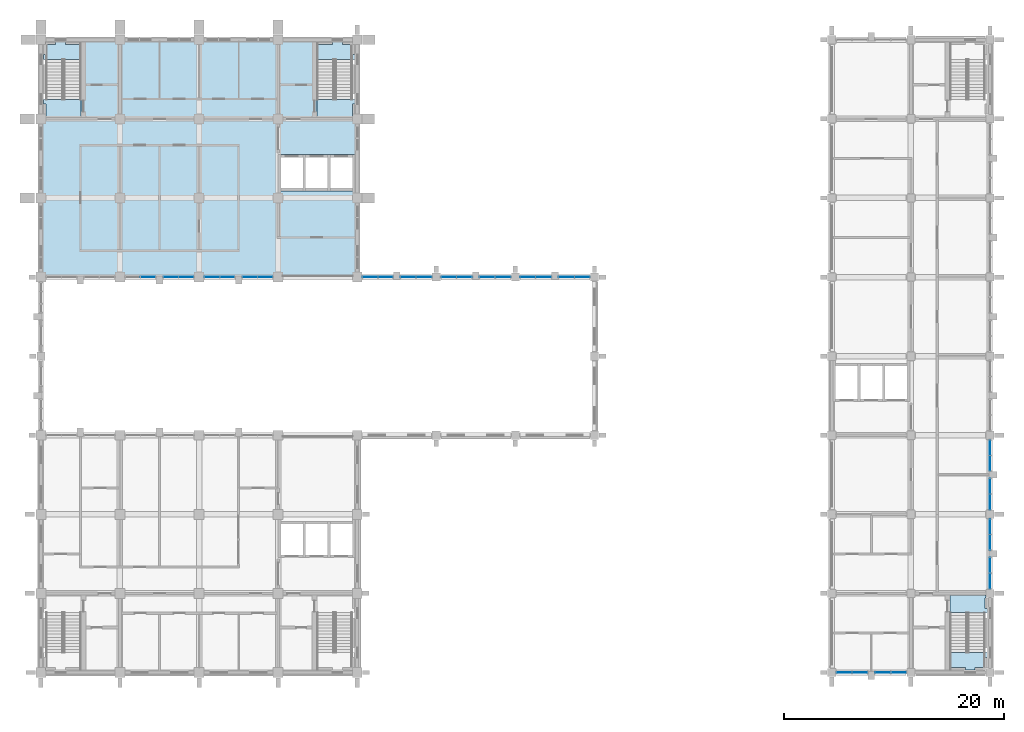
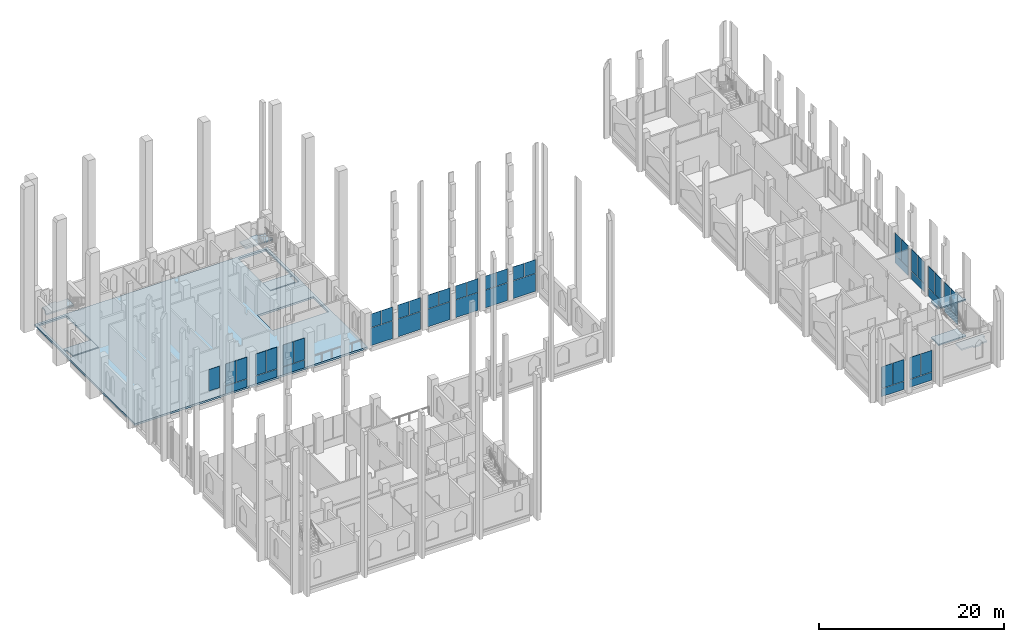
# One storey, part 25 of 40: 46 plates, 8 slabs, 19 elements without a shape of their own.
"""IFC4 building model written with IfcOpenShell, lengths in metres."""

import ifcopenshell
import ifcopenshell.guid

model = None  # the IFC model being written
_history = None  # IfcOwnerHistory: only IFC2X3 demands one
_inside = {}  # id of a spatial element -> (the spatial element, [elements in it])
_under = {}  # id of a project, library or spatial element -> (it, [spatial elements below it])
_declared = {}  # id of a project -> (the project, [libraries it declares])
_typed = {}  # id of a type object -> (the type object, [elements of that type])
_made_of = {}  # id of a material, layer set ... -> (it, [elements and type objects made of it])


def new_model(schema):
    """Start an empty IFC model of exactly this schema.

    Asked for "IFC4X3", IfcOpenShell would pick the latest addendum, in which some entities
    have other attributes; the version numbers below select the first issue.
    IFC2X3 requires an IfcOwnerHistory on every rooted entity: one is made here for all.
    """
    global model, _history
    if schema == "IFC4X3":
        model = ifcopenshell.file(schema_version=(4, 3, 0, 0))
    else:
        model = ifcopenshell.file(schema=schema)
    _inside.clear()
    _under.clear()
    _declared.clear()
    _typed.clear()
    _made_of.clear()
    _history = None
    if model.schema == "IFC2X3":
        org = make("IfcOrganization", Name="unknown")
        user = make(
            "IfcPersonAndOrganization",
            ThePerson=make("IfcPerson", FamilyName="unknown"),
            TheOrganization=org,
        )
        app = make(
            "IfcApplication",
            ApplicationDeveloper=org,
            Version="unknown",
            ApplicationFullName="unknown",
            ApplicationIdentifier="unknown",
        )
        _history = make(
            "IfcOwnerHistory",
            OwningUser=user,
            OwningApplication=app,
            ChangeAction="ADDED",
            CreationDate=0,
        )
    return model


def make(cls, **values):
    """One entity of the class cls with the attributes given. An attribute that is None is left unset."""
    return model.create_entity(
        cls, **{name: value for name, value in values.items() if value is not None}
    )


def rooted(cls, **values):
    """An entity with a GlobalId (a new one), such as an element, a storey or a relation."""
    return make(cls, GlobalId=ifcopenshell.guid.new(), OwnerHistory=_history, **values)


def si_unit(unit_type, name, prefix=None):
    """IfcSIUnit, for example si_unit("LENGTHUNIT", "METRE", prefix="MILLI")."""
    return make("IfcSIUnit", UnitType=unit_type, Prefix=prefix, Name=name)


def assignment(units):
    """IfcUnitAssignment: the units of a project."""
    return None if units is None else make("IfcUnitAssignment", Units=units)


def point(xyz):
    """IfcCartesianPoint."""
    return None if xyz is None else make("IfcCartesianPoint", Coordinates=xyz)


def direction(xyz):
    """IfcDirection."""
    return None if xyz is None else make("IfcDirection", DirectionRatios=xyz)


def frame(location, z_axis=None, x_axis=None):
    """IfcAxis2Placement3D, a coordinate frame: its origin and axes. An axis left out is left unset."""
    return make(
        "IfcAxis2Placement3D",
        Location=point(location),
        Axis=direction(z_axis),
        RefDirection=direction(x_axis),
    )


def frame_2d(location, x_axis=None):
    """IfcAxis2Placement2D, a coordinate frame in the plane: its origin and x axis."""
    return make(
        "IfcAxis2Placement2D", Location=point(location), RefDirection=direction(x_axis)
    )


def origin():
    """The frame at (0, 0, 0) with its axes left unset."""
    return frame((0.0, 0.0, 0.0))


def origin_2d():
    """The frame at (0, 0) in the plane with its x axis left unset."""
    return frame_2d((0.0, 0.0))


def place(relative_to, where):
    """IfcLocalPlacement: puts the frame where relative to a parent placement (None: the world)."""
    return make(
        "IfcLocalPlacement", PlacementRelTo=relative_to, RelativePlacement=where
    )


def context(
    kind, dimensions, precision=None, world=None, true_north=None, identifier=None
):
    """IfcGeometricRepresentationContext, for example the 3D "Model" context."""
    return make(
        "IfcGeometricRepresentationContext",
        ContextIdentifier=identifier,
        ContextType=kind,
        CoordinateSpaceDimension=dimensions,
        Precision=precision,
        WorldCoordinateSystem=world,
        TrueNorth=true_north,
    )


def subcontext(parent, identifier, kind, view, scale=None):
    """IfcGeometricRepresentationSubContext, for example "Body" below "Model"."""
    return make(
        "IfcGeometricRepresentationSubContext",
        ContextIdentifier=identifier,
        ContextType=kind,
        ParentContext=parent,
        TargetScale=scale,
        TargetView=view,
    )


def project(units=None, contexts=None):
    """IfcProject with its units and contexts."""
    return rooted(
        "IfcProject",
        Name="project",
        RepresentationContexts=contexts,
        UnitsInContext=assignment(units),
    )


def spatial(cls, under=None, at=None, **own):
    """A site, building, storey or space (cls), placed at a placement, below another one or the project."""
    s = rooted(cls, ObjectPlacement=at, **own)
    if under is not None:
        _under.setdefault(under.id(), (under, []))[1].append(s)
    return s


def polyline(points):
    """IfcPolyline through the points."""
    return make("IfcPolyline", Points=[point(p) for p in points])


def profile(cls, at=None, kind="AREA", **sizes):
    """A parametric profile (cls). Its sizes go by their IFC names, for example OverallWidth=200.0."""
    return make(cls, ProfileType=kind, Position=at, **sizes)


def rectangle(**sizes):
    """IfcRectangleProfileDef."""
    return profile("IfcRectangleProfileDef", **sizes)


def outline(outer, holes=None, kind="AREA"):
    """IfcArbitraryClosedProfileDef: a profile drawn as a closed curve; with holes, ...WithVoids."""
    if holes is None:
        return make("IfcArbitraryClosedProfileDef", ProfileType=kind, OuterCurve=outer)
    return make(
        "IfcArbitraryProfileDefWithVoids",
        ProfileType=kind,
        OuterCurve=outer,
        InnerCurves=holes,
    )


def extrude(swept, where, along, depth):
    """IfcExtrudedAreaSolid: the profile swept, set in the frame where, extruded along a direction by depth."""
    return make(
        "IfcExtrudedAreaSolid",
        SweptArea=swept,
        Position=where,
        ExtrudedDirection=direction(along),
        Depth=depth,
    )


def shape(context_of_items, identifier, shape_type, items):
    """IfcShapeRepresentation: the items that make up one representation, for example the "Body"."""
    return make(
        "IfcShapeRepresentation",
        ContextOfItems=context_of_items,
        RepresentationIdentifier=identifier,
        RepresentationType=shape_type,
        Items=items,
    )


def material(Name=None, Category=None):
    """IfcMaterial."""
    return make("IfcMaterial", Name=Name, Category=Category)


def layer(
    of_material, thickness, ventilated=None, Name=None, Category=None, Priority=None
):
    """IfcMaterialLayer: one layer of a wall or slab, of a material (None: an air gap)."""
    return make(
        "IfcMaterialLayer",
        Material=of_material,
        LayerThickness=thickness,
        IsVentilated=ventilated,
        Name=Name,
        Category=Category,
        Priority=Priority,
    )


def layer_set(layers, Name=None):
    """IfcMaterialLayerSet."""
    return make("IfcMaterialLayerSet", MaterialLayers=layers, LayerSetName=Name)


def made_of(thing, what):
    """Note that an element or type object is made of a material, layer set ...; save() writes the relation."""
    if what is not None:
        _made_of.setdefault(what.id(), (what, []))[1].append(thing)
    return thing


def type_object(cls, material=None, **own):
    """A type object (cls), such as IfcWallType, which elements share."""
    return made_of(rooted(cls, **own), material)


def element(
    cls,
    number,
    at=None,
    inside=None,
    cuts=None,
    type_object=None,
    material=None,
    context=None,
    identifier="Body",
    shape_type=None,
    held_by="IfcProductDefinitionShape",
    body=None,
    shapes=None,
    **own,
):
    """One element of the class cls, such as IfcWall. Its Tag is "e" and its number.

    at: its placement. inside: the storey or other place that contains it. cuts: it is an
    opening in that element (IfcRelVoidsElement). A single representation is given by context,
    identifier, shape_type and body (its items); several are given by shapes. held_by: the class
    of the entity that holds the representations. save() writes the other relations.
    """
    e = rooted(cls, Tag="e%d" % number, ObjectPlacement=at, **own)
    if body is not None:
        shapes = [shape(context, identifier, shape_type, body)]
    if shapes is not None:
        e.Representation = make(held_by, Representations=shapes)
    if inside is not None:
        _inside.setdefault(inside.id(), (inside, []))[1].append(e)
    if cuts is not None:
        rooted(
            "IfcRelVoidsElement", RelatingBuildingElement=cuts, RelatedOpeningElement=e
        )
    if type_object is not None:
        _typed.setdefault(type_object.id(), (type_object, []))[1].append(e)
    return made_of(e, material)


def aggregate(whole, parts):
    """IfcRelAggregates: a whole, such as a stair, and the parts it consists of."""
    return rooted("IfcRelAggregates", RelatingObject=whole, RelatedObjects=parts)


def save(model, path):
    """Write the relations noted so far, then the file.

    IfcRelAggregates (storeys below a building ...), IfcRelContainedInSpatialStructure (elements
    in a storey), IfcRelDefinesByType, IfcRelAssociatesMaterial and IfcRelDeclares: one each for
    every whole, place, type object, material and project.
    """
    for whole, parts in _under.values():
        aggregate(whole, parts)
    for where, things in _inside.values():
        rooted(
            "IfcRelContainedInSpatialStructure",
            RelatedElements=things,
            RelatingStructure=where,
        )
    for kind, things in _typed.values():
        rooted("IfcRelDefinesByType", RelatedObjects=things, RelatingType=kind)
    for what, things in _made_of.values():
        rooted("IfcRelAssociatesMaterial", RelatedObjects=things, RelatingMaterial=what)
    for by, libraries in _declared.values():
        rooted("IfcRelDeclares", RelatingContext=by, RelatedDefinitions=libraries)
    model.write(path)


model = new_model("IFC4")

# Units and contexts
model_context = context("Model", 3, precision=1e-05, world=origin(), true_north=direction((0.0, 1.0)))
body_context = subcontext(model_context, "Body", "Model", "MODEL_VIEW")
ifc_project = project(units=[si_unit("LENGTHUNIT", "METRE"), si_unit("AREAUNIT", "SQUARE_METRE"), si_unit("VOLUMEUNIT", "CUBIC_METRE"), si_unit("PLANEANGLEUNIT", "RADIAN"), si_unit("MASSUNIT", "GRAM", prefix="KILO")], contexts=[model_context])

# Site, building, storey
site_placement = place(None, origin())
site = spatial("IfcSite", under=ifc_project, at=site_placement, CompositionType="ELEMENT")
building_placement = place(site_placement, origin())
building = spatial("IfcBuilding", under=site, at=building_placement, Name="Silangan Lancet Faculty of Sciences", CompositionType="ELEMENT")
storey_placement = place(building_placement, frame((0.0, 0.0, 21.60009765625)))
storey = spatial("IfcBuildingStorey", under=building, at=storey_placement, Name="L04", CompositionType="ELEMENT", Elevation=21.60009765625)

# Curtain wall, plates
ifc_material_1 = material(Name="Aluminium framed curtain wall with insulated glass", Category="aluminium")
curtain_wall_type_1 = type_object("IfcCurtainWallType", Name="CW1 Commons and east block glazing", PredefinedType="NOTDEFINED", material=ifc_material_1)
curtain_wall_1_placement = place(storey_placement, origin())
curtain_wall_1 = element("IfcCurtainWall", 1, at=curtain_wall_1_placement, inside=storey, type_object=curtain_wall_type_1, Name="CW1 East commons L04 bay 1", PredefinedType="NOTDEFINED")
ifc_material_2 = material(Name="Insulated glass unit 8+16+8 low-emissivity", Category="glass")
ifc_layer_1 = layer(ifc_material_2, 0.031982421875)
ifc_layer_set_1 = layer_set([ifc_layer_1], Name="Insulated glass unit 8+16+8 low-emissivity")
plate_type_1 = type_object("IfcPlateType", Name="CP1 Panel vision glass 32", PredefinedType="CURTAIN_PANEL", material=ifc_layer_set_1)
plate_1_placement = place(storey_placement, frame((86.39990234375, 8.3212890625, 1.099853515625), z_axis=(0.0, 0.0, 1.0), x_axis=(0.0, 1.0, 0.0)))
plate_1 = element("IfcPlate", 2, at=plate_1_placement, type_object=plate_type_1, Name="CW1 East commons L04 bay 1 panel 2", PredefinedType="CURTAIN_PANEL", context=body_context, shape_type="SweptSolid", body=[
    extrude(rectangle(XDim=1.37255859375, YDim=0.031982421875, at=origin_2d()), origin(), (0.0, 0.0, 1.0), 2.85009765625),
])
plate_2_placement = place(storey_placement, frame((86.39990234375, 9.753662109375, 1.099853515625), z_axis=(0.0, 0.0, 1.0), x_axis=(0.0, 1.0, 0.0)))
plate_2 = element("IfcPlate", 3, at=plate_2_placement, type_object=plate_type_1, Name="CW1 East commons L04 bay 1 panel 3", PredefinedType="CURTAIN_PANEL", context=body_context, shape_type="SweptSolid", body=[
    extrude(rectangle(XDim=1.37255859375, YDim=0.031982421875, at=origin_2d()), origin(), (0.0, 0.0, 1.0), 2.85009765625),
])

curtain_wall_2_placement = place(storey_placement, origin())
curtain_wall_2 = element("IfcCurtainWall", 4, at=curtain_wall_2_placement, inside=storey, type_object=curtain_wall_type_1, Name="CW1 East commons L04 bay 2", PredefinedType="NOTDEFINED")
plate_3_placement = place(storey_placement, frame((86.39990234375, 11.84619140625, 1.099853515625), z_axis=(0.0, 0.0, 1.0), x_axis=(0.0, 1.0, 0.0)))
plate_3 = element("IfcPlate", 5, at=plate_3_placement, type_object=plate_type_1, Name="CW1 East commons L04 bay 2 panel 2", PredefinedType="CURTAIN_PANEL", context=body_context, shape_type="SweptSolid", body=[
    extrude(rectangle(XDim=1.37255859375, YDim=0.031982421875, at=origin_2d()), origin(), (0.0, 0.0, 1.0), 2.85009765625),
])
plate_4_placement = place(storey_placement, frame((86.39990234375, 13.27880859375, 1.099853515625), z_axis=(0.0, 0.0, 1.0), x_axis=(0.0, 1.0, 0.0)))
plate_4 = element("IfcPlate", 6, at=plate_4_placement, type_object=plate_type_1, Name="CW1 East commons L04 bay 2 panel 3", PredefinedType="CURTAIN_PANEL", context=body_context, shape_type="SweptSolid", body=[
    extrude(rectangle(XDim=1.37255859375, YDim=0.031982421875, at=origin_2d()), origin(), (0.0, 0.0, 1.0), 2.85009765625),
])

curtain_wall_3_placement = place(storey_placement, origin())
curtain_wall_3 = element("IfcCurtainWall", 7, at=curtain_wall_3_placement, inside=storey, type_object=curtain_wall_type_1, Name="CW1 East commons L04 bay 3", PredefinedType="NOTDEFINED")
plate_5_placement = place(storey_placement, frame((86.39990234375, 15.521240234375, 1.099853515625), z_axis=(0.0, 0.0, 1.0), x_axis=(0.0, 1.0, 0.0)))
plate_5 = element("IfcPlate", 8, at=plate_5_placement, type_object=plate_type_1, Name="CW1 East commons L04 bay 3 panel 2", PredefinedType="CURTAIN_PANEL", context=body_context, shape_type="SweptSolid", body=[
    extrude(rectangle(XDim=1.37255859375, YDim=0.031982421875, at=origin_2d()), origin(), (0.0, 0.0, 1.0), 2.85009765625),
])
plate_6_placement = place(storey_placement, frame((86.39990234375, 16.953857421875, 1.099853515625), z_axis=(0.0, 0.0, 1.0), x_axis=(0.0, 1.0, 0.0)))
plate_6 = element("IfcPlate", 9, at=plate_6_placement, type_object=plate_type_1, Name="CW1 East commons L04 bay 3 panel 3", PredefinedType="CURTAIN_PANEL", context=body_context, shape_type="SweptSolid", body=[
    extrude(rectangle(XDim=1.37255859375, YDim=0.031982421875, at=origin_2d()), origin(), (0.0, 0.0, 1.0), 2.85009765625),
])

curtain_wall_4_placement = place(storey_placement, origin())
curtain_wall_4 = element("IfcCurtainWall", 10, at=curtain_wall_4_placement, inside=storey, type_object=curtain_wall_type_1, Name="CW1 East commons L04 bay 4", PredefinedType="NOTDEFINED")
plate_7_placement = place(storey_placement, frame((86.39990234375, 19.046142578125, 1.099853515625), z_axis=(0.0, 0.0, 1.0), x_axis=(0.0, 1.0, 0.0)))
plate_7 = element("IfcPlate", 11, at=plate_7_placement, type_object=plate_type_1, Name="CW1 East commons L04 bay 4 panel 2", PredefinedType="CURTAIN_PANEL", context=body_context, shape_type="SweptSolid", body=[
    extrude(rectangle(XDim=1.37255859375, YDim=0.031982421875, at=origin_2d()), origin(), (0.0, 0.0, 1.0), 2.85009765625),
])
plate_8_placement = place(storey_placement, frame((86.39990234375, 20.478759765625, 1.099853515625), z_axis=(0.0, 0.0, 1.0), x_axis=(0.0, 1.0, 0.0)))
plate_8 = element("IfcPlate", 12, at=plate_8_placement, type_object=plate_type_1, Name="CW1 East commons L04 bay 4 panel 3", PredefinedType="CURTAIN_PANEL", context=body_context, shape_type="SweptSolid", body=[
    extrude(rectangle(XDim=1.37255859375, YDim=0.031982421875, at=origin_2d()), origin(), (0.0, 0.0, 1.0), 2.85009765625),
])

curtain_wall_5_placement = place(storey_placement, origin())
curtain_wall_5 = element("IfcCurtainWall", 13, at=curtain_wall_5_placement, inside=storey, type_object=curtain_wall_type_1, Name="CW1 East block south L04 bay 1", PredefinedType="NOTDEFINED")
plate_9_placement = place(storey_placement, frame((73.121337890625, 0.0, 1.099853515625), z_axis=(0.0, 0.0, 1.0), x_axis=(1.0, 0.0, 0.0)))
plate_9 = element("IfcPlate", 14, at=plate_9_placement, type_object=plate_type_1, Name="CW1 East block south L04 bay 1 panel 2", PredefinedType="CURTAIN_PANEL", context=body_context, shape_type="SweptSolid", body=[
    extrude(rectangle(XDim=1.37255859375, YDim=0.031982421875, at=origin_2d()), origin(), (0.0, 0.0, 1.0), 2.85009765625),
])
plate_10_placement = place(storey_placement, frame((74.5537109375, 0.0, 1.099853515625), z_axis=(0.0, 0.0, 1.0), x_axis=(1.0, 0.0, 0.0)))
plate_10 = element("IfcPlate", 15, at=plate_10_placement, type_object=plate_type_1, Name="CW1 East block south L04 bay 1 panel 3", PredefinedType="CURTAIN_PANEL", context=body_context, shape_type="SweptSolid", body=[
    extrude(rectangle(XDim=1.37255859375, YDim=0.031982421875, at=origin_2d()), origin(), (0.0, 0.0, 1.0), 2.85009765625),
])

curtain_wall_6_placement = place(storey_placement, origin())
curtain_wall_6 = element("IfcCurtainWall", 16, at=curtain_wall_6_placement, inside=storey, type_object=curtain_wall_type_1, Name="CW1 East block south L04 bay 2", PredefinedType="NOTDEFINED")
plate_11_placement = place(storey_placement, frame((76.646240234375, 0.0, 1.099853515625), z_axis=(0.0, 0.0, 1.0), x_axis=(1.0, 0.0, 0.0)))
plate_11 = element("IfcPlate", 17, at=plate_11_placement, type_object=plate_type_1, Name="CW1 East block south L04 bay 2 panel 2", PredefinedType="CURTAIN_PANEL", context=body_context, shape_type="SweptSolid", body=[
    extrude(rectangle(XDim=1.37255859375, YDim=0.031982421875, at=origin_2d()), origin(), (0.0, 0.0, 1.0), 2.85009765625),
])
plate_12_placement = place(storey_placement, frame((78.078857421875, 0.0, 1.099853515625), z_axis=(0.0, 0.0, 1.0), x_axis=(1.0, 0.0, 0.0)))
plate_12 = element("IfcPlate", 18, at=plate_12_placement, type_object=plate_type_1, Name="CW1 East block south L04 bay 2 panel 3", PredefinedType="CURTAIN_PANEL", context=body_context, shape_type="SweptSolid", body=[
    extrude(rectangle(XDim=1.37255859375, YDim=0.031982421875, at=origin_2d()), origin(), (0.0, 0.0, 1.0), 2.85009765625),
])

ifc_material_3 = material(Name="Aluminium framed curtain wall with insulated glass", Category="aluminium")
curtain_wall_type_2 = type_object("IfcCurtainWallType", Name="CW5 Nave north light glazing", PredefinedType="NOTDEFINED", material=ifc_material_3)
curtain_wall_7_placement = place(storey_placement, origin())
curtain_wall_7 = element("IfcCurtainWall", 19, at=curtain_wall_7_placement, inside=storey, type_object=curtain_wall_type_2, Name="CW5 Nave north lights L04 bay 1", PredefinedType="NOTDEFINED")
plate_13_placement = place(storey_placement, frame((48.5625, 36.0, 0.0), z_axis=(0.0, 0.0, 1.0), x_axis=(-1.0, 0.0, 0.0)))
plate_13 = element("IfcPlate", 20, at=plate_13_placement, type_object=plate_type_1, Name="CW5 Nave north lights L04 bay 1 panel 1", PredefinedType="CURTAIN_PANEL", context=body_context, shape_type="SweptSolid", body=[
    extrude(rectangle(XDim=2.804931640625, YDim=0.031982421875, at=origin_2d()), origin(), (0.0, 0.0, 1.0), 2.340087890625),
])
plate_14_placement = place(storey_placement, frame((49.27880859375, 36.0, 2.39990234375), z_axis=(0.0, 0.0, 1.0), x_axis=(-1.0, 0.0, 0.0)))
plate_14 = element("IfcPlate", 21, at=plate_14_placement, type_object=plate_type_1, Name="CW5 Nave north lights L04 bay 1 panel 2", PredefinedType="CURTAIN_PANEL", context=body_context, shape_type="SweptSolid", body=[
    extrude(rectangle(XDim=1.37255859375, YDim=0.031982421875, at=origin_2d()), origin(), (0.0, 0.0, 1.0), 1.800048828125),
])
plate_15_placement = place(storey_placement, frame((47.84619140625, 36.0, 2.39990234375), z_axis=(0.0, 0.0, 1.0), x_axis=(-1.0, 0.0, 0.0)))
plate_15 = element("IfcPlate", 22, at=plate_15_placement, type_object=plate_type_1, Name="CW5 Nave north lights L04 bay 1 panel 3", PredefinedType="CURTAIN_PANEL", context=body_context, shape_type="SweptSolid", body=[
    extrude(rectangle(XDim=1.37255859375, YDim=0.031982421875, at=origin_2d()), origin(), (0.0, 0.0, 1.0), 1.800048828125),
])
aggregate(curtain_wall_7, [plate_13, plate_14, plate_15])

curtain_wall_8_placement = place(storey_placement, origin())
curtain_wall_8 = element("IfcCurtainWall", 23, at=curtain_wall_8_placement, inside=storey, type_object=curtain_wall_type_2, Name="CW5 Nave north lights L04 bay 2", PredefinedType="NOTDEFINED")
plate_16_placement = place(storey_placement, frame((45.03759765625, 36.0, 0.0), z_axis=(0.0, 0.0, 1.0), x_axis=(-1.0, 0.0, 0.0)))
plate_16 = element("IfcPlate", 24, at=plate_16_placement, type_object=plate_type_1, Name="CW5 Nave north lights L04 bay 2 panel 1", PredefinedType="CURTAIN_PANEL", context=body_context, shape_type="SweptSolid", body=[
    extrude(rectangle(XDim=2.804931640625, YDim=0.031982421875, at=origin_2d()), origin(), (0.0, 0.0, 1.0), 2.340087890625),
])
plate_17_placement = place(storey_placement, frame((45.753662109375, 36.0, 2.39990234375), z_axis=(0.0, 0.0, 1.0), x_axis=(-1.0, 0.0, 0.0)))
plate_17 = element("IfcPlate", 25, at=plate_17_placement, type_object=plate_type_1, Name="CW5 Nave north lights L04 bay 2 panel 2", PredefinedType="CURTAIN_PANEL", context=body_context, shape_type="SweptSolid", body=[
    extrude(rectangle(XDim=1.37255859375, YDim=0.031982421875, at=origin_2d()), origin(), (0.0, 0.0, 1.0), 1.800048828125),
])
plate_18_placement = place(storey_placement, frame((44.3212890625, 36.0, 2.39990234375), z_axis=(0.0, 0.0, 1.0), x_axis=(-1.0, 0.0, 0.0)))
plate_18 = element("IfcPlate", 26, at=plate_18_placement, type_object=plate_type_1, Name="CW5 Nave north lights L04 bay 2 panel 3", PredefinedType="CURTAIN_PANEL", context=body_context, shape_type="SweptSolid", body=[
    extrude(rectangle(XDim=1.37255859375, YDim=0.031982421875, at=origin_2d()), origin(), (0.0, 0.0, 1.0), 1.800048828125),
])
aggregate(curtain_wall_8, [plate_16, plate_17, plate_18])

curtain_wall_9_placement = place(storey_placement, origin())
curtain_wall_9 = element("IfcCurtainWall", 27, at=curtain_wall_9_placement, inside=storey, type_object=curtain_wall_type_2, Name="CW5 Nave north lights L04 bay 3", PredefinedType="NOTDEFINED")
plate_19_placement = place(storey_placement, frame((41.362548828125, 36.0, 0.0), z_axis=(0.0, 0.0, 1.0), x_axis=(-1.0, 0.0, 0.0)))
plate_19 = element("IfcPlate", 28, at=plate_19_placement, type_object=plate_type_1, Name="CW5 Nave north lights L04 bay 3 panel 1", PredefinedType="CURTAIN_PANEL", context=body_context, shape_type="SweptSolid", body=[
    extrude(rectangle(XDim=2.804931640625, YDim=0.031982421875, at=origin_2d()), origin(), (0.0, 0.0, 1.0), 2.340087890625),
])
plate_20_placement = place(storey_placement, frame((42.078857421875, 36.0, 2.39990234375), z_axis=(0.0, 0.0, 1.0), x_axis=(-1.0, 0.0, 0.0)))
plate_20 = element("IfcPlate", 29, at=plate_20_placement, type_object=plate_type_1, Name="CW5 Nave north lights L04 bay 3 panel 2", PredefinedType="CURTAIN_PANEL", context=body_context, shape_type="SweptSolid", body=[
    extrude(rectangle(XDim=1.37255859375, YDim=0.031982421875, at=origin_2d()), origin(), (0.0, 0.0, 1.0), 1.800048828125),
])
plate_21_placement = place(storey_placement, frame((40.646240234375, 36.0, 2.39990234375), z_axis=(0.0, 0.0, 1.0), x_axis=(-1.0, 0.0, 0.0)))
plate_21 = element("IfcPlate", 30, at=plate_21_placement, type_object=plate_type_1, Name="CW5 Nave north lights L04 bay 3 panel 3", PredefinedType="CURTAIN_PANEL", context=body_context, shape_type="SweptSolid", body=[
    extrude(rectangle(XDim=1.37255859375, YDim=0.031982421875, at=origin_2d()), origin(), (0.0, 0.0, 1.0), 1.800048828125),
])
aggregate(curtain_wall_9, [plate_19, plate_20, plate_21])

curtain_wall_10_placement = place(storey_placement, origin())
curtain_wall_10 = element("IfcCurtainWall", 31, at=curtain_wall_10_placement, inside=storey, type_object=curtain_wall_type_2, Name="CW5 Nave north lights L04 bay 4", PredefinedType="NOTDEFINED")
plate_22_placement = place(storey_placement, frame((37.837646484375, 36.0, 0.0), z_axis=(0.0, 0.0, 1.0), x_axis=(-1.0, 0.0, 0.0)))
plate_22 = element("IfcPlate", 32, at=plate_22_placement, type_object=plate_type_1, Name="CW5 Nave north lights L04 bay 4 panel 1", PredefinedType="CURTAIN_PANEL", context=body_context, shape_type="SweptSolid", body=[
    extrude(rectangle(XDim=2.80517578125, YDim=0.031982421875, at=origin_2d()), origin(), (0.0, 0.0, 1.0), 2.340087890625),
])
plate_23_placement = place(storey_placement, frame((38.5537109375, 36.0, 2.39990234375), z_axis=(0.0, 0.0, 1.0), x_axis=(-1.0, 0.0, 0.0)))
plate_23 = element("IfcPlate", 33, at=plate_23_placement, type_object=plate_type_1, Name="CW5 Nave north lights L04 bay 4 panel 2", PredefinedType="CURTAIN_PANEL", context=body_context, shape_type="SweptSolid", body=[
    extrude(rectangle(XDim=1.37255859375, YDim=0.031982421875, at=origin_2d()), origin(), (0.0, 0.0, 1.0), 1.800048828125),
])
plate_24_placement = place(storey_placement, frame((37.121337890625, 36.0, 2.39990234375), z_axis=(0.0, 0.0, 1.0), x_axis=(-1.0, 0.0, 0.0)))
plate_24 = element("IfcPlate", 34, at=plate_24_placement, type_object=plate_type_1, Name="CW5 Nave north lights L04 bay 4 panel 3", PredefinedType="CURTAIN_PANEL", context=body_context, shape_type="SweptSolid", body=[
    extrude(rectangle(XDim=1.37255859375, YDim=0.031982421875, at=origin_2d()), origin(), (0.0, 0.0, 1.0), 1.800048828125),
])
aggregate(curtain_wall_10, [plate_22, plate_23, plate_24])

curtain_wall_11_placement = place(storey_placement, origin())
curtain_wall_11 = element("IfcCurtainWall", 35, at=curtain_wall_11_placement, inside=storey, type_object=curtain_wall_type_2, Name="CW5 Nave north lights L04 bay 5", PredefinedType="NOTDEFINED")
plate_25_placement = place(storey_placement, frame((34.162353515625, 36.0, 0.0), z_axis=(0.0, 0.0, 1.0), x_axis=(-1.0, 0.0, 0.0)))
plate_25 = element("IfcPlate", 36, at=plate_25_placement, type_object=plate_type_1, Name="CW5 Nave north lights L04 bay 5 panel 1", PredefinedType="CURTAIN_PANEL", context=body_context, shape_type="SweptSolid", body=[
    extrude(rectangle(XDim=2.80517578125, YDim=0.031982421875, at=origin_2d()), origin(), (0.0, 0.0, 1.0), 2.340087890625),
])
plate_26_placement = place(storey_placement, frame((34.878662109375, 36.0, 2.39990234375), z_axis=(0.0, 0.0, 1.0), x_axis=(-1.0, 0.0, 0.0)))
plate_26 = element("IfcPlate", 37, at=plate_26_placement, type_object=plate_type_1, Name="CW5 Nave north lights L04 bay 5 panel 2", PredefinedType="CURTAIN_PANEL", context=body_context, shape_type="SweptSolid", body=[
    extrude(rectangle(XDim=1.37255859375, YDim=0.031982421875, at=origin_2d()), origin(), (0.0, 0.0, 1.0), 1.800048828125),
])
plate_27_placement = place(storey_placement, frame((33.4462890625, 36.0, 2.39990234375), z_axis=(0.0, 0.0, 1.0), x_axis=(-1.0, 0.0, 0.0)))
plate_27 = element("IfcPlate", 38, at=plate_27_placement, type_object=plate_type_1, Name="CW5 Nave north lights L04 bay 5 panel 3", PredefinedType="CURTAIN_PANEL", context=body_context, shape_type="SweptSolid", body=[
    extrude(rectangle(XDim=1.37255859375, YDim=0.031982421875, at=origin_2d()), origin(), (0.0, 0.0, 1.0), 1.800048828125),
])
aggregate(curtain_wall_11, [plate_25, plate_26, plate_27])

curtain_wall_12_placement = place(storey_placement, origin())
curtain_wall_12 = element("IfcCurtainWall", 39, at=curtain_wall_12_placement, inside=storey, type_object=curtain_wall_type_2, Name="CW5 Nave north lights L04 bay 6", PredefinedType="NOTDEFINED")
plate_28_placement = place(storey_placement, frame((30.675048828125, 36.0, 0.0), z_axis=(0.0, 0.0, 1.0), x_axis=(-1.0, 0.0, 0.0)))
plate_28 = element("IfcPlate", 40, at=plate_28_placement, type_object=plate_type_1, Name="CW5 Nave north lights L04 bay 6 panel 1", PredefinedType="CURTAIN_PANEL", context=body_context, shape_type="SweptSolid", body=[
    extrude(rectangle(XDim=2.72998046875, YDim=0.031982421875, at=origin_2d()), origin(), (0.0, 0.0, 1.0), 2.340087890625),
])
plate_29_placement = place(storey_placement, frame((31.372314453125, 36.0, 2.39990234375), z_axis=(0.0, 0.0, 1.0), x_axis=(-1.0, 0.0, 0.0)))
plate_29 = element("IfcPlate", 41, at=plate_29_placement, type_object=plate_type_1, Name="CW5 Nave north lights L04 bay 6 panel 2", PredefinedType="CURTAIN_PANEL", context=body_context, shape_type="SweptSolid", body=[
    extrude(rectangle(XDim=1.3349609375, YDim=0.031982421875, at=origin_2d()), origin(), (0.0, 0.0, 1.0), 1.800048828125),
])
plate_30_placement = place(storey_placement, frame((29.9775390625, 36.0, 2.39990234375), z_axis=(0.0, 0.0, 1.0), x_axis=(-1.0, 0.0, 0.0)))
plate_30 = element("IfcPlate", 42, at=plate_30_placement, type_object=plate_type_1, Name="CW5 Nave north lights L04 bay 6 panel 3", PredefinedType="CURTAIN_PANEL", context=body_context, shape_type="SweptSolid", body=[
    extrude(rectangle(XDim=1.3349609375, YDim=0.031982421875, at=origin_2d()), origin(), (0.0, 0.0, 1.0), 1.800048828125),
])
aggregate(curtain_wall_12, [plate_28, plate_29, plate_30])

# Plate
ifc_material_4 = material(Name="Laminated insulated glass unit 10.76+14+8", Category="glass")
ifc_layer_2 = layer(ifc_material_4, 0.035888671875)
ifc_layer_set_2 = layer_set([ifc_layer_2], Name="Laminated insulated glass unit 10.76+14+8")
plate_type_2 = type_object("IfcPlateType", Name="CP2 Panel laminated glass 36", PredefinedType="CURTAIN_PANEL", material=ifc_layer_set_2)
plate_31_placement = place(storey_placement, frame((86.39990234375, 9.03759765625, 0.0), z_axis=(0.0, 0.0, 1.0), x_axis=(0.0, 1.0, 0.0)))
plate_31 = element("IfcPlate", 43, at=plate_31_placement, type_object=plate_type_2, Name="CW1 East commons L04 bay 1 panel 1", PredefinedType="CURTAIN_PANEL", context=body_context, shape_type="SweptSolid", body=[
    extrude(rectangle(XDim=2.804931640625, YDim=0.035888671875, at=origin_2d()), origin(), (0.0, 0.0, 1.0), 1.0400390625),
])

aggregate(curtain_wall_1, [plate_31, plate_1, plate_2])

plate_32_placement = place(storey_placement, frame((86.39990234375, 12.5625, 0.0), z_axis=(0.0, 0.0, 1.0), x_axis=(0.0, 1.0, 0.0)))
plate_32 = element("IfcPlate", 44, at=plate_32_placement, type_object=plate_type_2, Name="CW1 East commons L04 bay 2 panel 1", PredefinedType="CURTAIN_PANEL", context=body_context, shape_type="SweptSolid", body=[
    extrude(rectangle(XDim=2.804931640625, YDim=0.035888671875, at=origin_2d()), origin(), (0.0, 0.0, 1.0), 1.0400390625),
])

aggregate(curtain_wall_2, [plate_32, plate_3, plate_4])

plate_33_placement = place(storey_placement, frame((86.39990234375, 16.237548828125, 0.0), z_axis=(0.0, 0.0, 1.0), x_axis=(0.0, 1.0, 0.0)))
plate_33 = element("IfcPlate", 45, at=plate_33_placement, type_object=plate_type_2, Name="CW1 East commons L04 bay 3 panel 1", PredefinedType="CURTAIN_PANEL", context=body_context, shape_type="SweptSolid", body=[
    extrude(rectangle(XDim=2.804931640625, YDim=0.035888671875, at=origin_2d()), origin(), (0.0, 0.0, 1.0), 1.0400390625),
])

aggregate(curtain_wall_3, [plate_33, plate_5, plate_6])

plate_34_placement = place(storey_placement, frame((86.39990234375, 19.762451171875, 0.0), z_axis=(0.0, 0.0, 1.0), x_axis=(0.0, 1.0, 0.0)))
plate_34 = element("IfcPlate", 46, at=plate_34_placement, type_object=plate_type_2, Name="CW1 East commons L04 bay 4 panel 1", PredefinedType="CURTAIN_PANEL", context=body_context, shape_type="SweptSolid", body=[
    extrude(rectangle(XDim=2.804931640625, YDim=0.035888671875, at=origin_2d()), origin(), (0.0, 0.0, 1.0), 1.0400390625),
])

aggregate(curtain_wall_4, [plate_34, plate_7, plate_8])

plate_35_placement = place(storey_placement, frame((73.837646484375, 0.0, 0.0), z_axis=(0.0, 0.0, 1.0), x_axis=(1.0, 0.0, 0.0)))
plate_35 = element("IfcPlate", 47, at=plate_35_placement, type_object=plate_type_2, Name="CW1 East block south L04 bay 1 panel 1", PredefinedType="CURTAIN_PANEL", context=body_context, shape_type="SweptSolid", body=[
    extrude(rectangle(XDim=2.80517578125, YDim=0.035888671875, at=origin_2d()), origin(), (0.0, 0.0, 1.0), 1.0400390625),
])

aggregate(curtain_wall_5, [plate_35, plate_9, plate_10])

plate_36_placement = place(storey_placement, frame((77.362548828125, 0.0, 0.0), z_axis=(0.0, 0.0, 1.0), x_axis=(1.0, 0.0, 0.0)))
plate_36 = element("IfcPlate", 48, at=plate_36_placement, type_object=plate_type_2, Name="CW1 East block south L04 bay 2 panel 1", PredefinedType="CURTAIN_PANEL", context=body_context, shape_type="SweptSolid", body=[
    extrude(rectangle(XDim=2.804931640625, YDim=0.035888671875, at=origin_2d()), origin(), (0.0, 0.0, 1.0), 1.0400390625),
])

aggregate(curtain_wall_6, [plate_36, plate_11, plate_12])

# Curtain wall, plate
ifc_material_5 = material(Name="Aluminium framed curtain wall with insulated glass", Category="aluminium")
curtain_wall_type_3 = type_object("IfcCurtainWallType", Name="CW2 Atrium fire-resisting screen", PredefinedType="NOTDEFINED", material=ifc_material_5)
curtain_wall_13_placement = place(storey_placement, origin())
curtain_wall_13 = element("IfcCurtainWall", 49, at=curtain_wall_13_placement, inside=storey, type_object=curtain_wall_type_3, Name="CW2 Atrium north L04 bay 3", PredefinedType="NOTDEFINED")
ifc_material_6 = material(Name="Fire-resisting glass unit 40 mm, integrity E", Category="glass")
ifc_layer_3 = layer(ifc_material_6, 0.0400390625)
ifc_layer_set_3 = layer_set([ifc_layer_3], Name="Fire-resisting glass unit 40 mm, integrity E")
plate_type_3 = type_object("IfcPlateType", Name="CP3 Panel fire-resisting glass 40", PredefinedType="CURTAIN_PANEL", material=ifc_layer_set_3)
plate_37_placement = place(storey_placement, frame((9.768798828125, 36.0, 1.099853515625), z_axis=(0.0, 0.0, 1.0), x_axis=(1.0, 0.0, 0.0)))
plate_37 = element("IfcPlate", 50, at=plate_37_placement, type_object=plate_type_3, Name="CW2 Atrium north L04 bay 3 panel 3", PredefinedType="CURTAIN_PANEL", context=body_context, shape_type="SweptSolid", body=[
    extrude(rectangle(XDim=1.3125, YDim=0.0400390625, at=origin_2d()), origin(), (0.0, 0.0, 1.0), 2.85009765625),
])
aggregate(curtain_wall_13, [plate_37])

# Curtain wall, plates
curtain_wall_14_placement = place(storey_placement, origin())
curtain_wall_14 = element("IfcCurtainWall", 51, at=curtain_wall_14_placement, inside=storey, type_object=curtain_wall_type_3, Name="CW2 Atrium north L04 bay 4", PredefinedType="NOTDEFINED")
plate_38_placement = place(storey_placement, frame((12.52490234375, 36.0, 0.0), z_axis=(0.0, 0.0, 1.0), x_axis=(1.0, 0.0, 0.0)))
plate_38 = element("IfcPlate", 52, at=plate_38_placement, type_object=plate_type_3, Name="CW2 Atrium north L04 bay 4 panel 1", PredefinedType="CURTAIN_PANEL", context=body_context, shape_type="SweptSolid", body=[
    extrude(rectangle(XDim=2.699951171875, YDim=0.0400390625, at=origin_2d()), origin(), (0.0, 0.0, 1.0), 1.02490234375),
])
plate_39_placement = place(storey_placement, frame((11.831298828125, 36.0, 1.099853515625), z_axis=(0.0, 0.0, 1.0), x_axis=(1.0, 0.0, 0.0)))
plate_39 = element("IfcPlate", 53, at=plate_39_placement, type_object=plate_type_3, Name="CW2 Atrium north L04 bay 4 panel 2", PredefinedType="CURTAIN_PANEL", context=body_context, shape_type="SweptSolid", body=[
    extrude(rectangle(XDim=1.3125, YDim=0.0400390625, at=origin_2d()), origin(), (0.0, 0.0, 1.0), 2.85009765625),
])
plate_40_placement = place(storey_placement, frame((13.21875, 36.0, 1.099853515625), z_axis=(0.0, 0.0, 1.0), x_axis=(1.0, 0.0, 0.0)))
plate_40 = element("IfcPlate", 54, at=plate_40_placement, type_object=plate_type_3, Name="CW2 Atrium north L04 bay 4 panel 3", PredefinedType="CURTAIN_PANEL", context=body_context, shape_type="SweptSolid", body=[
    extrude(rectangle(XDim=1.3125, YDim=0.0400390625, at=origin_2d()), origin(), (0.0, 0.0, 1.0), 2.85009765625),
])
aggregate(curtain_wall_14, [plate_38, plate_39, plate_40])

curtain_wall_15_placement = place(storey_placement, origin())
curtain_wall_15 = element("IfcCurtainWall", 55, at=curtain_wall_15_placement, inside=storey, type_object=curtain_wall_type_3, Name="CW2 Atrium north L04 bay 5", PredefinedType="NOTDEFINED")
plate_41_placement = place(storey_placement, frame((16.27490234375, 36.0, 0.0), z_axis=(0.0, 0.0, 1.0), x_axis=(1.0, 0.0, 0.0)))
plate_41 = element("IfcPlate", 56, at=plate_41_placement, type_object=plate_type_3, Name="CW2 Atrium north L04 bay 5 panel 1", PredefinedType="CURTAIN_PANEL", context=body_context, shape_type="SweptSolid", body=[
    extrude(rectangle(XDim=2.699951171875, YDim=0.0400390625, at=origin_2d()), origin(), (0.0, 0.0, 1.0), 1.02490234375),
])
plate_42_placement = place(storey_placement, frame((15.581298828125, 36.0, 1.099853515625), z_axis=(0.0, 0.0, 1.0), x_axis=(1.0, 0.0, 0.0)))
plate_42 = element("IfcPlate", 57, at=plate_42_placement, type_object=plate_type_3, Name="CW2 Atrium north L04 bay 5 panel 2", PredefinedType="CURTAIN_PANEL", context=body_context, shape_type="SweptSolid", body=[
    extrude(rectangle(XDim=1.3125, YDim=0.0400390625, at=origin_2d()), origin(), (0.0, 0.0, 1.0), 2.85009765625),
])
plate_43_placement = place(storey_placement, frame((16.96875, 36.0, 1.099853515625), z_axis=(0.0, 0.0, 1.0), x_axis=(1.0, 0.0, 0.0)))
plate_43 = element("IfcPlate", 58, at=plate_43_placement, type_object=plate_type_3, Name="CW2 Atrium north L04 bay 5 panel 3", PredefinedType="CURTAIN_PANEL", context=body_context, shape_type="SweptSolid", body=[
    extrude(rectangle(XDim=1.3125, YDim=0.0400390625, at=origin_2d()), origin(), (0.0, 0.0, 1.0), 2.85009765625),
])
aggregate(curtain_wall_15, [plate_41, plate_42, plate_43])

curtain_wall_16_placement = place(storey_placement, origin())
curtain_wall_16 = element("IfcCurtainWall", 59, at=curtain_wall_16_placement, inside=storey, type_object=curtain_wall_type_3, Name="CW2 Atrium north L04 bay 6", PredefinedType="NOTDEFINED")
plate_44_placement = place(storey_placement, frame((19.72509765625, 36.0, 0.0), z_axis=(0.0, 0.0, 1.0), x_axis=(1.0, 0.0, 0.0)))
plate_44 = element("IfcPlate", 60, at=plate_44_placement, type_object=plate_type_3, Name="CW2 Atrium north L04 bay 6 panel 1", PredefinedType="CURTAIN_PANEL", context=body_context, shape_type="SweptSolid", body=[
    extrude(rectangle(XDim=2.699951171875, YDim=0.0400390625, at=origin_2d()), origin(), (0.0, 0.0, 1.0), 1.02490234375),
])
plate_45_placement = place(storey_placement, frame((19.03125, 36.0, 1.099853515625), z_axis=(0.0, 0.0, 1.0), x_axis=(1.0, 0.0, 0.0)))
plate_45 = element("IfcPlate", 61, at=plate_45_placement, type_object=plate_type_3, Name="CW2 Atrium north L04 bay 6 panel 2", PredefinedType="CURTAIN_PANEL", context=body_context, shape_type="SweptSolid", body=[
    extrude(rectangle(XDim=1.3125, YDim=0.0400390625, at=origin_2d()), origin(), (0.0, 0.0, 1.0), 2.85009765625),
])
plate_46_placement = place(storey_placement, frame((20.418701171875, 36.0, 1.099853515625), z_axis=(0.0, 0.0, 1.0), x_axis=(1.0, 0.0, 0.0)))
plate_46 = element("IfcPlate", 62, at=plate_46_placement, type_object=plate_type_3, Name="CW2 Atrium north L04 bay 6 panel 3", PredefinedType="CURTAIN_PANEL", context=body_context, shape_type="SweptSolid", body=[
    extrude(rectangle(XDim=1.3125, YDim=0.0400390625, at=origin_2d()), origin(), (0.0, 0.0, 1.0), 2.85009765625),
])
aggregate(curtain_wall_16, [plate_44, plate_45, plate_46])

# Slab
ifc_material_7 = material(Name="Concrete C35/45", Category="concrete")
ifc_layer_4 = layer(ifc_material_7, 0.25)
ifc_layer_set_4 = layer_set([ifc_layer_4], Name="Concrete C35/45")
slab_type_1 = type_object("IfcSlabType", Name="SLAB FLOOR 250", PredefinedType="FLOOR", material=ifc_layer_set_4)
slab_1_placement = place(storey_placement, frame((0.0, 0.0, -0.25)))
element("IfcSlab", 63, at=slab_1_placement, inside=storey, type_object=slab_type_1, Name="SLAB-L04-NT", PredefinedType="FLOOR", context=body_context, shape_type="SweptSolid", body=[
    extrude(outline(polyline([(-0.14990234375, 36.0), (28.949951171875, 36.0), (28.949951171875, 57.75), (-0.14990234375, 57.75), (-0.14990234375, 36.0)]), holes=[polyline([(21.60009765625, 43.85009765625), (21.60009765625, 47.14990234375), (28.60009765625, 47.14990234375), (28.60009765625, 43.85009765625), (21.60009765625, 43.85009765625)]), polyline([(0.14990234375, 50.39990234375), (0.14990234375, 57.449951171875), (3.64990234375, 57.449951171875), (3.64990234375, 50.39990234375), (0.14990234375, 50.39990234375)]), polyline([(25.14990234375, 57.449951171875), (28.64990234375, 57.449951171875), (28.64990234375, 50.39990234375), (25.14990234375, 50.39990234375), (25.14990234375, 57.449951171875)])]), origin(), (0.0, 0.0, 1.0), 0.25),
])

# Stair, slabs
ifc_material_8 = material(Name="Concrete C40/50", Category="concrete")
stair_type = type_object("IfcStairType", Name="TURRET STAIR 1550 TWO-FLIGHT", PredefinedType="HALF_TURN_STAIR", material=ifc_material_8)
stair_1_placement = place(storey_placement, origin())
stair_1 = element("IfcStair", 64, at=stair_1_placement, inside=storey, type_object=stair_type, Name="EB-A stair L04", PredefinedType="HALF_TURN_STAIR")
ifc_material_9 = material(Name="Concrete C40/50", Category="concrete")
ifc_layer_5 = layer(ifc_material_9, 0.179931640625)
ifc_layer_set_5 = layer_set([ifc_layer_5], Name="Concrete C40/50")
slab_type_2 = type_object("IfcSlabType", Name="TURRET STAIR LANDING RC 180", PredefinedType="LANDING", material=ifc_layer_set_5)
slab_2_placement = place(storey_placement, frame((0.0, 0.0, -0.18017578125)))
slab_2 = element("IfcSlab", 65, at=slab_2_placement, type_object=slab_type_2, Name="STR9 landing 1", PredefinedType="LANDING", context=body_context, shape_type="SweptSolid", body=[
    extrude(outline(polyline([(85.949951171875, 5.85009765625), (86.175048828125, 5.85009765625), (86.175048828125, 5.449951171875), (82.75, 5.449951171875), (82.75, 7.074951171875), (86.02490234375, 7.074951171875), (86.02490234375, 6.77490234375), (85.949951171875, 6.77490234375), (85.949951171875, 5.85009765625)])), origin(), (0.0, 0.0, 1.0), 0.18017578125),
])
slab_3_placement = place(storey_placement, frame((0.0, 0.0, 2.219970703125)))
slab_3 = element("IfcSlab", 66, at=slab_3_placement, type_object=slab_type_2, Name="STR9 landing 2", PredefinedType="LANDING", context=body_context, shape_type="SweptSolid", body=[
    extrude(outline(polyline([(85.949951171875, 0.449951171875), (85.050048828125, 0.449951171875), (85.050048828125, 0.22509765625), (84.14990234375, 0.22509765625), (84.14990234375, 0.449951171875), (82.75, 0.449951171875), (82.75, 1.81005859375), (86.175048828125, 1.81005859375), (86.175048828125, 1.35009765625), (85.949951171875, 1.35009765625), (85.949951171875, 0.449951171875)])), origin(), (0.0, 0.0, 1.0), 0.179931640625),
])
slab_4_placement = place(storey_placement, frame((0.0, 0.0, 4.619873046875)))
slab_4 = element("IfcSlab", 67, at=slab_4_placement, type_object=slab_type_2, Name="STR9 landing 3", PredefinedType="LANDING", context=body_context, shape_type="SweptSolid", body=[
    extrude(outline(polyline([(85.949951171875, 5.85009765625), (86.175048828125, 5.85009765625), (86.175048828125, 5.449951171875), (82.75, 5.449951171875), (82.75, 7.074951171875), (86.02490234375, 7.074951171875), (86.02490234375, 6.77490234375), (85.949951171875, 6.77490234375), (85.949951171875, 5.85009765625)])), origin(), (0.0, 0.0, 1.0), 0.179931640625),
])
aggregate(stair_1, [slab_2, slab_3, slab_4])

stair_2_placement = place(storey_placement, origin())
stair_2 = element("IfcStair", 68, at=stair_2_placement, inside=storey, type_object=stair_type, Name="NT-A stair L04", PredefinedType="HALF_TURN_STAIR")
slab_5_placement = place(storey_placement, frame((0.0, 0.0, -0.18017578125)))
slab_5 = element("IfcSlab", 69, at=slab_5_placement, type_object=slab_type_2, Name="STR3 landing 1", PredefinedType="LANDING", context=body_context, shape_type="SweptSolid", body=[
    extrude(outline(polyline([(0.22509765625, 52.14990234375), (3.64990234375, 52.14990234375), (3.64990234375, 50.52490234375), (0.449951171875, 50.52490234375), (0.449951171875, 51.75), (0.22509765625, 51.75), (0.22509765625, 52.14990234375)])), origin(), (0.0, 0.0, 1.0), 0.18017578125),
])
slab_6_placement = place(storey_placement, frame((0.0, 0.0, 2.219970703125)))
slab_6 = element("IfcSlab", 70, at=slab_6_placement, type_object=slab_type_2, Name="STR3 landing 2", PredefinedType="LANDING", context=body_context, shape_type="SweptSolid", body=[
    extrude(outline(polyline([(0.449951171875, 57.14990234375), (1.35009765625, 57.14990234375), (1.35009765625, 57.375), (2.25, 57.375), (2.25, 57.14990234375), (3.64990234375, 57.14990234375), (3.64990234375, 55.7900390625), (0.22509765625, 55.7900390625), (0.22509765625, 56.25), (0.449951171875, 56.25), (0.449951171875, 57.14990234375)])), origin(), (0.0, 0.0, 1.0), 0.179931640625),
])
aggregate(stair_2, [slab_5, slab_6])

stair_3_placement = place(storey_placement, origin())
stair_3 = element("IfcStair", 71, at=stair_3_placement, inside=storey, type_object=stair_type, Name="NT-B stair L04", PredefinedType="HALF_TURN_STAIR")
slab_7_placement = place(storey_placement, frame((0.0, 0.0, -0.18017578125)))
slab_7 = element("IfcSlab", 72, at=slab_7_placement, type_object=slab_type_2, Name="STR4 landing 1", PredefinedType="LANDING", context=body_context, shape_type="SweptSolid", body=[
    extrude(outline(polyline([(28.35009765625, 50.52490234375), (25.14990234375, 50.52490234375), (25.14990234375, 52.14990234375), (28.574951171875, 52.14990234375), (28.574951171875, 51.75), (28.35009765625, 51.75), (28.35009765625, 50.52490234375)])), origin(), (0.0, 0.0, 1.0), 0.18017578125),
])
slab_8_placement = place(storey_placement, frame((0.0, 0.0, 2.219970703125)))
slab_8 = element("IfcSlab", 73, at=slab_8_placement, type_object=slab_type_2, Name="STR4 landing 2", PredefinedType="LANDING", context=body_context, shape_type="SweptSolid", body=[
    extrude(outline(polyline([(28.35009765625, 56.25), (28.574951171875, 56.25), (28.574951171875, 55.7900390625), (25.14990234375, 55.7900390625), (25.14990234375, 57.14990234375), (26.550048828125, 57.14990234375), (26.550048828125, 57.375), (27.449951171875, 57.375), (27.449951171875, 57.14990234375), (28.35009765625, 57.14990234375), (28.35009765625, 56.25)])), origin(), (0.0, 0.0, 1.0), 0.179931640625),
])
aggregate(stair_3, [slab_7, slab_8])

save(model, "model.ifc")
